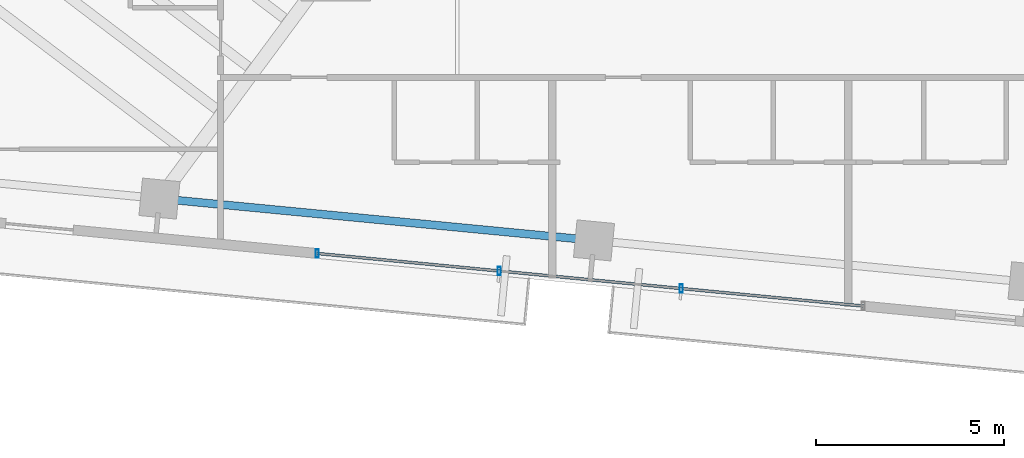
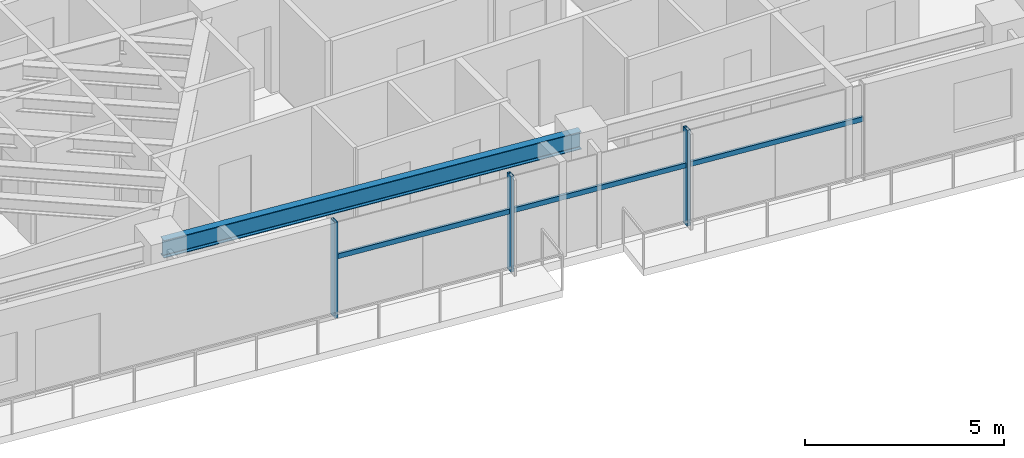
# One storey, part 4 of 20: 6 members, 1 beam, 1 element without a shape of its own.
"""IFC4 building model written with IfcOpenShell, lengths in metres."""

from ifc_helpers import new_model, si_unit, direction, frame, origin, origin_2d, place, context, subcontext, project, spatial, hollow_rectangle, i_section, extrude, source, transform, mapped, material, material_profile, profile_set, type_object, type_shapes, element, aggregate, save


model = new_model("IFC4")

# Units and contexts
model_context = context("Model", 3, precision=1e-05, world=origin(), true_north=direction((0.0, 1.0)))
body_context = subcontext(model_context, "Body", "Model", "MODEL_VIEW")
ifc_project = project(units=[si_unit("LENGTHUNIT", "METRE"), si_unit("AREAUNIT", "SQUARE_METRE"), si_unit("VOLUMEUNIT", "CUBIC_METRE"), si_unit("PLANEANGLEUNIT", "RADIAN"), si_unit("MASSUNIT", "GRAM", prefix="KILO")], contexts=[model_context])

# Site, building, storey
site_placement = place(None, origin())
site = spatial("IfcSite", under=ifc_project, at=site_placement, CompositionType="ELEMENT")
building_placement = place(site_placement, origin())
building = spatial("IfcBuilding", under=site, at=building_placement, Name="Astriad Promenade Condominiums", CompositionType="ELEMENT")
storey_placement = place(building_placement, frame((0.0, 0.0, 153.39990234375)))
storey = spatial("IfcBuildingStorey", under=building, at=storey_placement, Name="L44", CompositionType="ELEMENT", Elevation=153.39990234375)

# Beam
ifc_material_1 = material(Name="Steel ASTM A992 Grade 50", Category="steel")
ifc_material_profile_1 = material_profile(ifc_material_1, i_section(OverallWidth=0.210693359375, OverallDepth=0.53955078125, WebThickness=0.01171875, FlangeThickness=0.018798828125, FilletRadius=0.0166015625, at=origin_2d()), Name="W21X73")
ifc_profile_set_1 = profile_set([ifc_material_profile_1], Name="Steel ASTM A992 Grade 50")
beam_type = type_object("IfcBeamType", Name="STEEL SPANDREL BEAM W21X73", PredefinedType="SPANDREL", material=ifc_profile_set_1)
shared_shape_1 = source(origin(), body_context, "Body", "SweptSolid", [
    extrude(i_section(OverallWidth=0.210693359375, OverallDepth=0.53955078125, WebThickness=0.01171875, FlangeThickness=0.018798828125, FilletRadius=0.0166015625, at=origin_2d()), origin(), (0.0, 0.0, 1.0), 11.52001953125),
])
type_shapes(beam_type, [shared_shape_1])
beam_placement = place(storey_placement, frame((20.467041015625, 9.32763671875, 2.67041015625), z_axis=(0.9953953902, -0.095854145285, 0.0), x_axis=(0.095854145285, 0.9953953902, 0.0)))
element("IfcBeam", 1, at=beam_placement, inside=storey, type_object=beam_type, Name="Perimeter Spandrel Beam SP-S2-L44", PredefinedType="SPANDREL", context=body_context, shape_type="MappedRepresentation", body=[
    mapped(shared_shape_1, transform((0.0, 0.0, 0.0), scale=1.0)),
])

# Curtain wall, members
ifc_material_2 = material(Name="Anodised aluminium Black Dark Glass Unitised", Category="aluminium")
curtain_wall_type = type_object("IfcCurtainWallType", Name="CW-B34-DARK", PredefinedType="USERDEFINED", material=ifc_material_2)
curtain_wall_placement = place(storey_placement, origin())
curtain_wall = element("IfcCurtainWall", 2, at=curtain_wall_placement, inside=storey, type_object=curtain_wall_type, Name="CW-L44-S", ObjectType="UNITISED_CURTAIN_WALL", PredefinedType="USERDEFINED")
ifc_material_3 = material(Name="Anodised aluminium 6063-T6 Black", Category="aluminium")
ifc_material_profile_2 = material_profile(ifc_material_3, hollow_rectangle(XDim=0.074951171875, YDim=0.14990234375, WallThickness=0.004150390625, at=origin_2d()), Name="ALU-TRN-75X150")
ifc_profile_set_2 = profile_set([ifc_material_profile_2], Name="Anodised aluminium 6063-T6 Black")
member_type_1 = type_object("IfcMemberType", Name="TRN-ALU-TRN-75X150", PredefinedType="USERDEFINED", material=ifc_profile_set_2)
shared_shape_2 = source(origin(), body_context, "Body", "SweptSolid", [
    extrude(hollow_rectangle(XDim=0.074951171875, YDim=0.14990234375, WallThickness=0.004150390625, at=origin_2d()), origin(), (0.0, 0.0, 1.0), 4.860107421875),
])
type_shapes(member_type_1, [shared_shape_2])
member_1_placement = place(storey_placement, frame((39.129638671875, 6.475830078125, 1.822998046875), z_axis=(-0.995396042559, 0.095847370639, 0.0), x_axis=(-0.095847370639, -0.995396042559, 0.0)))
member_1 = element("IfcMember", 3, at=member_1_placement, type_object=member_type_1, Name="CW-L44-S-TRN-00-0", ObjectType="TRANSOM", PredefinedType="USERDEFINED", context=body_context, shape_type="MappedRepresentation", body=[
    mapped(shared_shape_2, transform((0.0, 0.0, 0.0), scale=1.0)),
])
member_2_placement = place(storey_placement, frame((34.2919921875, 6.941650390625, 1.822998046875), z_axis=(-0.995396042559, 0.095847370639, 0.0), x_axis=(-0.095847370639, -0.995396042559, 0.0)))
member_2 = element("IfcMember", 4, at=member_2_placement, type_object=member_type_1, Name="CW-L44-S-TRN-01-0", ObjectType="TRANSOM", PredefinedType="USERDEFINED", context=body_context, shape_type="MappedRepresentation", body=[
    mapped(shared_shape_2, transform((0.0, 0.0, 0.0), scale=1.0)),
])
member_3_placement = place(storey_placement, frame((29.454345703125, 7.407470703125, 1.822998046875), z_axis=(-0.995396042559, 0.095847370639, 0.0), x_axis=(-0.095847370639, -0.995396042559, 0.0)))
member_3 = element("IfcMember", 5, at=member_3_placement, type_object=member_type_1, Name="CW-L44-S-TRN-02-0", ObjectType="TRANSOM", PredefinedType="USERDEFINED", context=body_context, shape_type="MappedRepresentation", body=[
    mapped(shared_shape_2, transform((0.0, 0.0, 0.0), scale=1.0)),
])
ifc_material_profile_3 = material_profile(ifc_material_3, hollow_rectangle(XDim=0.0849609375, YDim=0.219970703125, WallThickness=0.0048828125, at=origin_2d()), Name="ALU-MUL-85X220")
ifc_profile_set_3 = profile_set([ifc_material_profile_3], Name="Anodised aluminium 6063-T6 Black")
member_type_2 = type_object("IfcMemberType", Name="MUL-ALU-MUL-85X220", PredefinedType="MULLION", material=ifc_profile_set_3)
shared_shape_3 = source(origin(), body_context, "Body", "SweptSolid", [
    extrude(hollow_rectangle(XDim=0.0849609375, YDim=0.219970703125, WallThickness=0.0048828125, at=origin_2d()), origin(), (0.0, 0.0, 1.0), 2.940185546875),
])
type_shapes(member_type_2, [shared_shape_3])
member_4_placement = place(storey_placement, frame((34.2919921875, 6.941650390625, 0.0), z_axis=(0.0, 0.0, 1.0), x_axis=(1.0, 0.0, 0.0)))
member_4 = element("IfcMember", 6, at=member_4_placement, type_object=member_type_2, Name="CW-L44-S-MUL-01", PredefinedType="MULLION", context=body_context, shape_type="MappedRepresentation", body=[
    mapped(shared_shape_3, transform((0.0, 0.0, 0.0), scale=1.0)),
])
member_5_placement = place(storey_placement, frame((29.454345703125, 7.407470703125, 0.0), z_axis=(0.0, 0.0, 1.0), x_axis=(1.0, 0.0, 0.0)))
member_5 = element("IfcMember", 7, at=member_5_placement, type_object=member_type_2, Name="CW-L44-S-MUL-02", PredefinedType="MULLION", context=body_context, shape_type="MappedRepresentation", body=[
    mapped(shared_shape_3, transform((0.0, 0.0, 0.0), scale=1.0)),
])
member_6_placement = place(storey_placement, frame((24.61669921875, 7.873291015625, 0.0), z_axis=(0.0, 0.0, 1.0), x_axis=(1.0, 0.0, 0.0)))
member_6 = element("IfcMember", 8, at=member_6_placement, type_object=member_type_2, Name="CW-L44-S-MUL-03", PredefinedType="MULLION", context=body_context, shape_type="MappedRepresentation", body=[
    mapped(shared_shape_3, transform((0.0, 0.0, 0.0), scale=1.0)),
])
aggregate(curtain_wall, [member_4, member_5, member_6, member_1, member_2, member_3])

save(model, "model.ifc")
